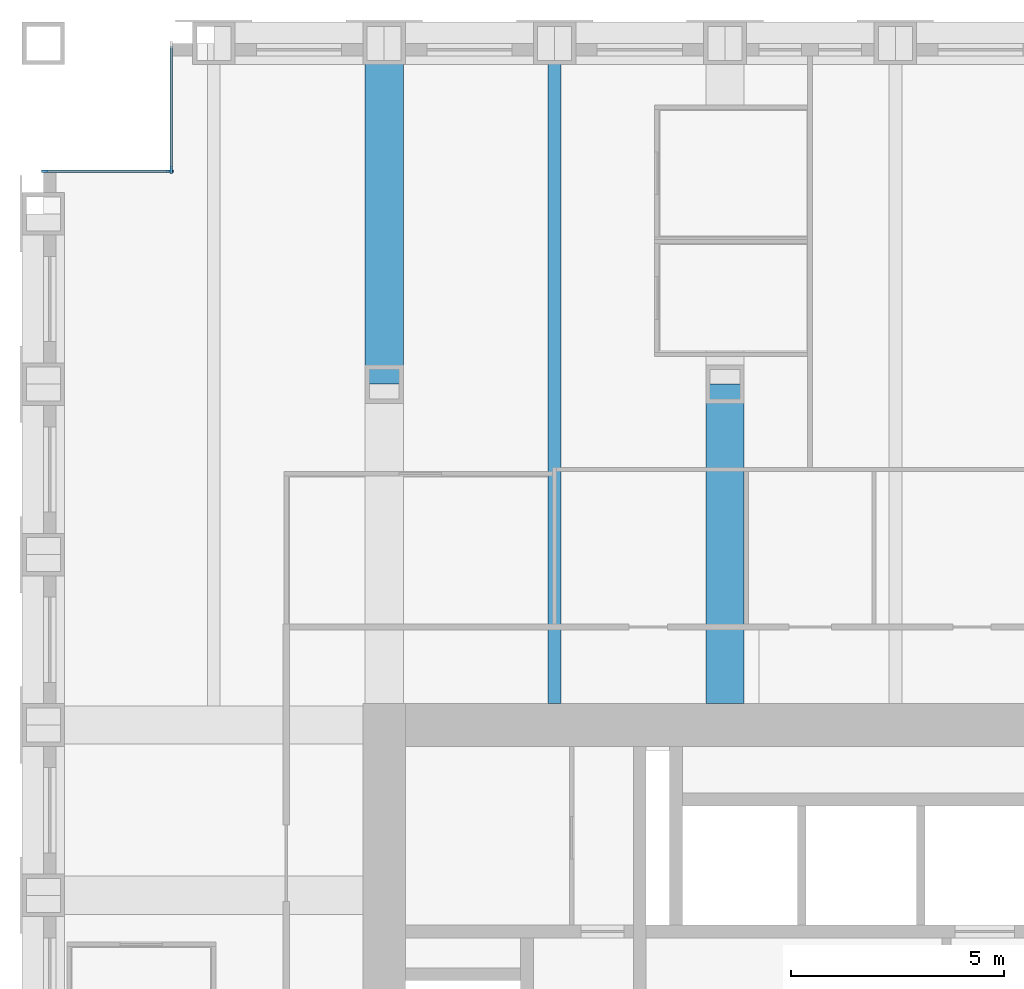
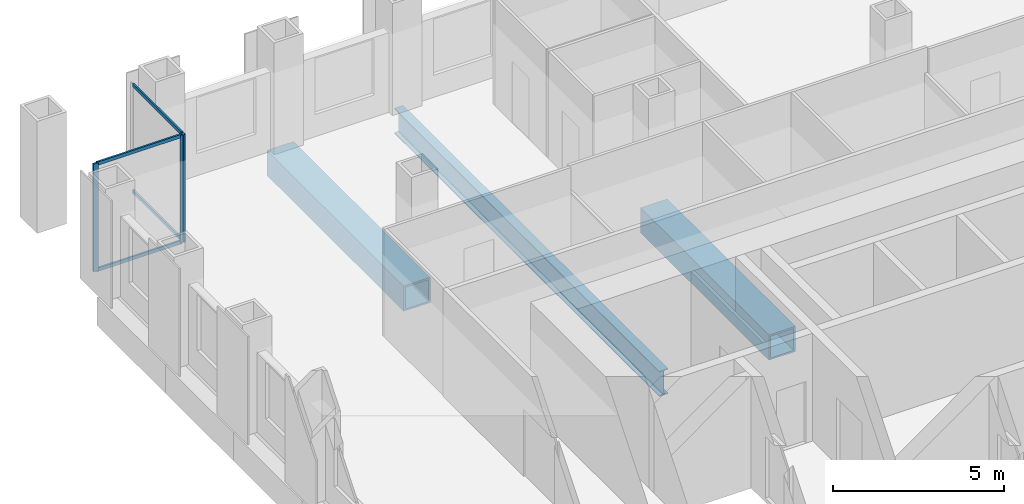
# One storey, part 6 of 16: 7 members, 3 beams, 2 elements without a shape of their own.
"""IFC4 building model written with IfcOpenShell, lengths in metres."""

from ifc_helpers import new_model, si_unit, direction, frame, origin, origin_2d, place, context, subcontext, project, spatial, rectangle, hollow_rectangle, i_section, extrude, material, material_profile, profile_set, type_object, element, aggregate, save


model = new_model("IFC4")

# Units and contexts
model_context = context("Model", 3, precision=1e-05, world=origin(), true_north=direction((0.0, 1.0)))
body_context = subcontext(model_context, "Body", "Model", "MODEL_VIEW")
ifc_project = project(units=[si_unit("LENGTHUNIT", "METRE"), si_unit("AREAUNIT", "SQUARE_METRE"), si_unit("VOLUMEUNIT", "CUBIC_METRE"), si_unit("PLANEANGLEUNIT", "RADIAN"), si_unit("MASSUNIT", "GRAM", prefix="KILO")], contexts=[model_context])

# Site, building, storey
site_placement = place(None, origin())
site = spatial("IfcSite", under=ifc_project, at=site_placement, CompositionType="ELEMENT")
building_placement = place(site_placement, origin())
building = spatial("IfcBuilding", under=site, at=building_placement, Name="Rimbunsela Tower", CompositionType="ELEMENT")
storey_placement = place(building_placement, frame((0.0, 0.0, 121.39990234375)))
storey = spatial("IfcBuildingStorey", under=building, at=storey_placement, Name="L29", CompositionType="ELEMENT", Elevation=121.39990234375)

# Beams
ifc_material_1 = material(Name="Steel BJ 55 (fy 410 MPa)", Category="steel")
ifc_material_profile_1 = material_profile(ifc_material_1, hollow_rectangle(XDim=0.89990234375, YDim=0.89990234375, WallThickness=0.06005859375, at=origin_2d()), Name="BOX 900x900x60")
ifc_profile_set_1 = profile_set([ifc_material_profile_1], Name="Steel BJ 55 (fy 410 MPa)")
beam_type_1 = type_object("IfcBeamType", Name="Beam BOX 900x900x60", PredefinedType="BEAM", material=ifc_profile_set_1)
beam_1_placement = place(storey_placement, frame((18.0, 44.0, -0.599853515625), z_axis=(0.0, 1.0, 0.0), x_axis=(-1.0, 0.0, 0.0)))
element("IfcBeam", 1, at=beam_1_placement, inside=storey, type_object=beam_type_1, Name="Beam B1 L29", PredefinedType="BEAM", context=body_context, shape_type="SweptSolid", body=[
    extrude(hollow_rectangle(XDim=0.89990234375, YDim=0.89990234375, WallThickness=0.06005859375, at=origin_2d()), origin(), (0.0, 0.0, 1.0), 8.0),
])
beam_2_placement = place(storey_placement, frame((26.0, 36.5, -0.599853515625), z_axis=(0.0, 1.0, 0.0), x_axis=(-1.0, 0.0, 0.0)))
element("IfcBeam", 2, at=beam_2_placement, inside=storey, type_object=beam_type_1, Name="Beam B1 L29", PredefinedType="BEAM", context=body_context, shape_type="SweptSolid", body=[
    extrude(hollow_rectangle(XDim=0.89990234375, YDim=0.89990234375, WallThickness=0.06005859375, at=origin_2d()), origin(), (0.0, 0.0, 1.0), 7.5),
])
ifc_material_2 = material(Name="Steel BJ 55 (fy 410 MPa)", Category="steel")
ifc_material_profile_2 = material_profile(ifc_material_2, i_section(OverallWidth=0.300048828125, OverallDepth=0.89990234375, WebThickness=0.01611328125, FlangeThickness=0.028076171875, FilletRadius=0.028076171875, at=origin_2d()), Name="H 900x300x16x28")
ifc_profile_set_2 = profile_set([ifc_material_profile_2], Name="Steel BJ 55 (fy 410 MPa)")
beam_type_2 = type_object("IfcBeamType", Name="Beam H 900x300x16x28", PredefinedType="BEAM", material=ifc_profile_set_2)
beam_3_placement = place(storey_placement, frame((22.0, 36.5, -0.599853515625), z_axis=(0.0, 1.0, 0.0), x_axis=(-1.0, 0.0, 0.0)))
element("IfcBeam", 3, at=beam_3_placement, inside=storey, type_object=beam_type_2, Name="Beam B2 L29", PredefinedType="BEAM", context=body_context, shape_type="SweptSolid", body=[
    extrude(i_section(OverallWidth=0.300048828125, OverallDepth=0.89990234375, WebThickness=0.01611328125, FlangeThickness=0.028076171875, FilletRadius=0.028076171875, at=origin_2d()), origin(), (0.0, 0.0, 1.0), 15.5),
])

# Curtain wall, member
ifc_material_3 = material(Name="Aluminium curtain wall", Category="aluminium")
curtain_wall_type = type_object("IfcCurtainWallType", Name="Corner glazing", PredefinedType="USERDEFINED", material=ifc_material_3)
curtain_wall_1_placement = place(storey_placement, origin())
curtain_wall_1 = element("IfcCurtainWall", 4, at=curtain_wall_1_placement, inside=storey, type_object=curtain_wall_type, Name="Corner glazing L29", ObjectType="CORNER GLAZING", PredefinedType="USERDEFINED")
ifc_material_4 = material(Name="Aluminium mullion", Category="aluminium")
ifc_material_profile_3 = material_profile(ifc_material_4, rectangle(XDim=0.06005859375, YDim=0.159912109375, at=origin_2d()), Name="Mullion 60x160")
ifc_profile_set_3 = profile_set([ifc_material_profile_3], Name="Aluminium mullion")
member_type_1 = type_object("IfcMemberType", Name="Curtain wall mullion 60x160", PredefinedType="MULLION", material=ifc_profile_set_3)
member_1_placement = place(storey_placement, frame((13.0, 49.030029296875, 0.0), z_axis=(0.0, 0.0, 1.0), x_axis=(1.0, 0.0, 0.0)))
member_1 = element("IfcMember", 5, at=member_1_placement, type_object=member_type_1, Name="CW5 mullion 2", PredefinedType="MULLION", context=body_context, shape_type="SweptSolid", body=[
    extrude(rectangle(XDim=0.06005859375, YDim=0.159912109375, at=origin_2d()), origin(), (0.0, 0.0, 1.0), 3.85009765625),
])

# Curtain wall, members
curtain_wall_2_placement = place(storey_placement, origin())
curtain_wall_2 = element("IfcCurtainWall", 6, at=curtain_wall_2_placement, inside=storey, type_object=curtain_wall_type, Name="Corner glazing L29", ObjectType="CORNER GLAZING", PredefinedType="USERDEFINED")
member_2_placement = place(storey_placement, frame((12.969970703125, 49.0, 0.0), z_axis=(0.0, 0.0, 1.0), x_axis=(0.0, -1.0, 0.0)))
member_2 = element("IfcMember", 7, at=member_2_placement, type_object=member_type_1, Name="CW5 mullion 1", PredefinedType="MULLION", context=body_context, shape_type="SweptSolid", body=[
    extrude(rectangle(XDim=0.06005859375, YDim=0.159912109375, at=origin_2d()), origin(), (0.0, 0.0, 1.0), 3.85009765625),
])
member_3_placement = place(storey_placement, frame((10.030029296875, 49.0, 0.0), z_axis=(0.0, 0.0, 1.0), x_axis=(0.0, -1.0, 0.0)))
member_3 = element("IfcMember", 8, at=member_3_placement, type_object=member_type_1, Name="CW5 mullion 2", PredefinedType="MULLION", context=body_context, shape_type="SweptSolid", body=[
    extrude(rectangle(XDim=0.06005859375, YDim=0.159912109375, at=origin_2d()), origin(), (0.0, 0.0, 1.0), 3.85009765625),
])

# Member
ifc_material_5 = material(Name="Aluminium transom", Category="aluminium")
ifc_material_profile_4 = material_profile(ifc_material_5, rectangle(XDim=0.06005859375, YDim=0.1201171875, at=origin_2d()), Name="Transom 60x120")
ifc_profile_set_4 = profile_set([ifc_material_profile_4], Name="Aluminium transom")
member_type_2 = type_object("IfcMemberType", Name="Curtain wall transom 60x120", PredefinedType="USERDEFINED", material=ifc_profile_set_4)
member_4_placement = place(storey_placement, frame((13.0, 51.93994140625, 0.030029296875), z_axis=(0.0, -1.0, 0.0), x_axis=(1.0, 0.0, 0.0)))
member_4 = element("IfcMember", 9, at=member_4_placement, type_object=member_type_2, Name="CW5 transom 1.1", ObjectType="TRANSOM", PredefinedType="USERDEFINED", context=body_context, shape_type="SweptSolid", body=[
    extrude(rectangle(XDim=0.06005859375, YDim=0.1201171875, at=origin_2d()), origin(), (0.0, 0.0, 1.0), 2.8798828125),
])

member_5_placement = place(storey_placement, frame((13.0, 51.93994140625, 3.820068359375), z_axis=(0.0, -1.0, 0.0), x_axis=(1.0, 0.0, 0.0)))
member_5 = element("IfcMember", 10, at=member_5_placement, type_object=member_type_2, Name="CW5 transom 1.2", ObjectType="TRANSOM", PredefinedType="USERDEFINED", context=body_context, shape_type="SweptSolid", body=[
    extrude(rectangle(XDim=0.06005859375, YDim=0.1201171875, at=origin_2d()), origin(), (0.0, 0.0, 1.0), 2.8798828125),
])

aggregate(curtain_wall_1, [member_1, member_4, member_5])

member_6_placement = place(storey_placement, frame((12.93994140625, 49.0, 0.030029296875), z_axis=(-1.0, 0.0, 0.0), x_axis=(0.0, -1.0, 0.0)))
member_6 = element("IfcMember", 11, at=member_6_placement, type_object=member_type_2, Name="CW5 transom 1.1", ObjectType="TRANSOM", PredefinedType="USERDEFINED", context=body_context, shape_type="SweptSolid", body=[
    extrude(rectangle(XDim=0.06005859375, YDim=0.1201171875, at=origin_2d()), origin(), (0.0, 0.0, 1.0), 2.8798828125),
])

member_7_placement = place(storey_placement, frame((12.93994140625, 49.0, 3.820068359375), z_axis=(-1.0, 0.0, 0.0), x_axis=(0.0, -1.0, 0.0)))
member_7 = element("IfcMember", 12, at=member_7_placement, type_object=member_type_2, Name="CW5 transom 1.2", ObjectType="TRANSOM", PredefinedType="USERDEFINED", context=body_context, shape_type="SweptSolid", body=[
    extrude(rectangle(XDim=0.06005859375, YDim=0.1201171875, at=origin_2d()), origin(), (0.0, 0.0, 1.0), 2.8798828125),
])

aggregate(curtain_wall_2, [member_2, member_3, member_6, member_7])

save(model, "model.ifc")
